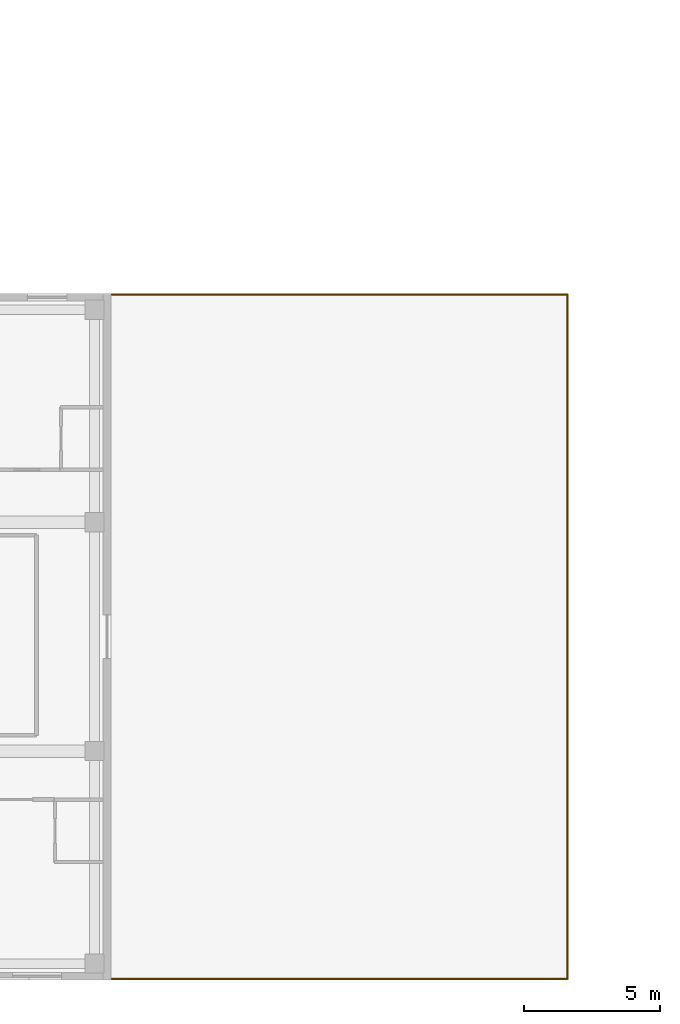
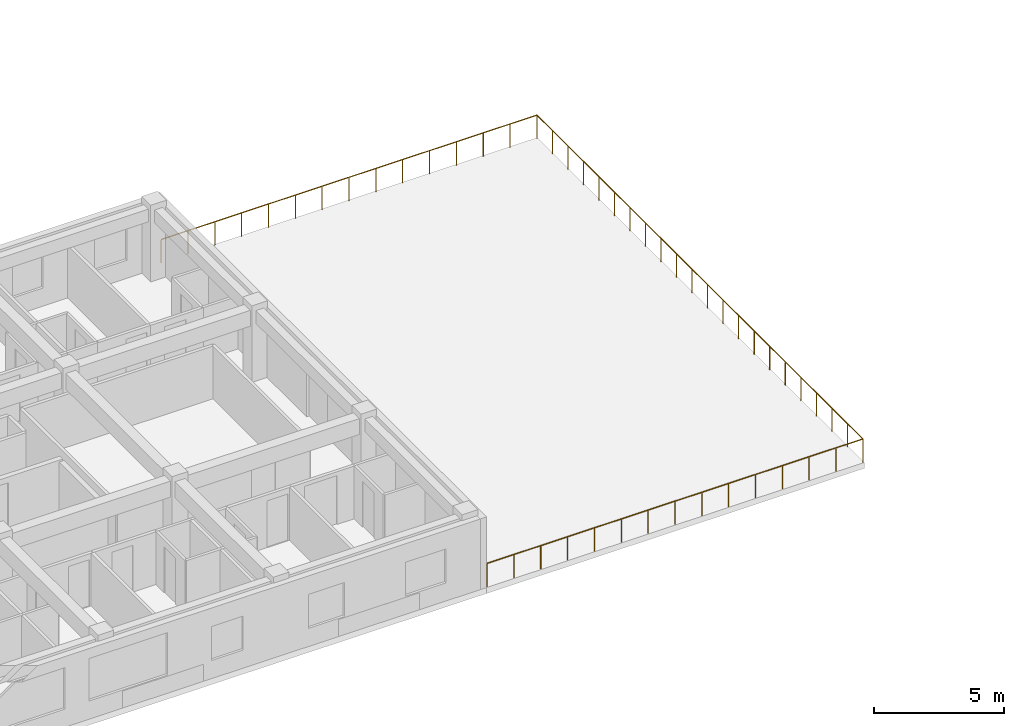
# One storey, part 13 of 13: 3 railings.
"""IFC4 building model written with IfcOpenShell, lengths in metres."""

from ifc_helpers import new_model, si_unit, direction, frame, origin, origin_2d, place, context, subcontext, project, spatial, circle, extrude, material, type_object, element, save


model = new_model("IFC4")

# Units and contexts
model_context = context("Model", 3, precision=1e-05, world=origin(), true_north=direction((0.0, 1.0)))
body_context = subcontext(model_context, "Body", "Model", "MODEL_VIEW")
ifc_project = project(units=[si_unit("LENGTHUNIT", "METRE"), si_unit("AREAUNIT", "SQUARE_METRE"), si_unit("VOLUMEUNIT", "CUBIC_METRE"), si_unit("PLANEANGLEUNIT", "RADIAN"), si_unit("MASSUNIT", "GRAM", prefix="KILO")], contexts=[model_context])

# Site, building, storey
site_placement = place(None, origin())
site = spatial("IfcSite", under=ifc_project, at=site_placement, CompositionType="ELEMENT")
building_placement = place(site_placement, origin())
building = spatial("IfcBuilding", under=site, at=building_placement, Name="Zayran Congress Hotel", CompositionType="ELEMENT")
storey_placement = place(building_placement, frame((0.0, 0.0, 22.800048828125)))
storey = spatial("IfcBuildingStorey", under=building, at=storey_placement, Name="L05", CompositionType="ELEMENT", Elevation=22.800048828125)

# Railings
ifc_material = material(Name="Warm bronze anodised aluminium balustrade", Category="aluminium")
railing_type = type_object("IfcRailingType", Name="TP-GRD-EXT", PredefinedType="GUARDRAIL", material=ifc_material)
railing_1_placement = place(storey_placement, frame((75.639892578125, 8.840087890625, 0.0)))
element("IfcRailing", 1, at=railing_1_placement, inside=storey, type_object=railing_type, Name="V5 L05 Terrace Perimeter Guard S", PredefinedType="GUARDRAIL", context=body_context, shape_type="SweptSolid", body=[
    extrude(circle(Radius=0.02392578125, at=origin_2d()), frame((0.0, 0.0, 1.09619140625), z_axis=(1.0, 0.0, 0.0), x_axis=(0.0, 1.0, 0.0)), (0.0, 0.0, 1.0), 16.72021484375),
    extrude(circle(Radius=0.02099609375, at=origin_2d()), origin(), (0.0, 0.0, 1.0), 1.072021484375),
    extrude(circle(Radius=0.02099609375, at=origin_2d()), frame((1.1943359375, 0.0, 0.0)), (0.0, 0.0, 1.0), 1.072021484375),
    extrude(circle(Radius=0.02099609375, at=origin_2d()), frame((2.388671875, 0.0, 0.0)), (0.0, 0.0, 1.0), 1.072021484375),
    extrude(circle(Radius=0.02099609375, at=origin_2d()), frame((3.5830078125, 0.0, 0.0)), (0.0, 0.0, 1.0), 1.072021484375),
    extrude(circle(Radius=0.02099609375, at=origin_2d()), frame((4.777099609375, 0.0, 0.0)), (0.0, 0.0, 1.0), 1.072021484375),
    extrude(circle(Radius=0.02099609375, at=origin_2d()), frame((5.971435546875, 0.0, 0.0)), (0.0, 0.0, 1.0), 1.072021484375),
    extrude(circle(Radius=0.02099609375, at=origin_2d()), frame((7.165771484375, 0.0, 0.0)), (0.0, 0.0, 1.0), 1.072021484375),
    extrude(circle(Radius=0.02099609375, at=origin_2d()), frame((8.360107421875, 0.0, 0.0)), (0.0, 0.0, 1.0), 1.072021484375),
    extrude(circle(Radius=0.02099609375, at=origin_2d()), frame((9.554443359375, 0.0, 0.0)), (0.0, 0.0, 1.0), 1.072021484375),
    extrude(circle(Radius=0.02099609375, at=origin_2d()), frame((10.748779296875, 0.0, 0.0)), (0.0, 0.0, 1.0), 1.072021484375),
    extrude(circle(Radius=0.02099609375, at=origin_2d()), frame((11.943115234375, 0.0, 0.0)), (0.0, 0.0, 1.0), 1.072021484375),
    extrude(circle(Radius=0.02099609375, at=origin_2d()), frame((13.13720703125, 0.0, 0.0)), (0.0, 0.0, 1.0), 1.072021484375),
    extrude(circle(Radius=0.02099609375, at=origin_2d()), frame((14.33154296875, 0.0, 0.0)), (0.0, 0.0, 1.0), 1.072021484375),
    extrude(circle(Radius=0.02099609375, at=origin_2d()), frame((15.52587890625, 0.0, 0.0)), (0.0, 0.0, 1.0), 1.072021484375),
    extrude(circle(Radius=0.02099609375, at=origin_2d()), frame((16.72021484375, 0.0, 0.0)), (0.0, 0.0, 1.0), 1.072021484375),
])
railing_2_placement = place(storey_placement, frame((92.360107421875, 33.9599609375, 0.0)))
element("IfcRailing", 2, at=railing_2_placement, inside=storey, type_object=railing_type, Name="V5 L05 Terrace Perimeter Guard N", PredefinedType="GUARDRAIL", context=body_context, shape_type="SweptSolid", body=[
    extrude(circle(Radius=0.02392578125, at=origin_2d()), frame((0.0, 0.0, 1.09619140625), z_axis=(-1.0, 0.0, 0.0), x_axis=(0.0, -1.0, 0.0)), (0.0, 0.0, 1.0), 16.72021484375),
    extrude(circle(Radius=0.02099609375, at=origin_2d()), origin(), (0.0, 0.0, 1.0), 1.072021484375),
    extrude(circle(Radius=0.02099609375, at=origin_2d()), frame((-1.1943359375, 0.0, 0.0)), (0.0, 0.0, 1.0), 1.072021484375),
    extrude(circle(Radius=0.02099609375, at=origin_2d()), frame((-2.388671875, 0.0, 0.0)), (0.0, 0.0, 1.0), 1.072021484375),
    extrude(circle(Radius=0.02099609375, at=origin_2d()), frame((-3.5830078125, 0.0, 0.0)), (0.0, 0.0, 1.0), 1.072021484375),
    extrude(circle(Radius=0.02099609375, at=origin_2d()), frame((-4.777099609375, 0.0, 0.0)), (0.0, 0.0, 1.0), 1.072021484375),
    extrude(circle(Radius=0.02099609375, at=origin_2d()), frame((-5.971435546875, 0.0, 0.0)), (0.0, 0.0, 1.0), 1.072021484375),
    extrude(circle(Radius=0.02099609375, at=origin_2d()), frame((-7.165771484375, 0.0, 0.0)), (0.0, 0.0, 1.0), 1.072021484375),
    extrude(circle(Radius=0.02099609375, at=origin_2d()), frame((-8.360107421875, 0.0, 0.0)), (0.0, 0.0, 1.0), 1.072021484375),
    extrude(circle(Radius=0.02099609375, at=origin_2d()), frame((-9.554443359375, 0.0, 0.0)), (0.0, 0.0, 1.0), 1.072021484375),
    extrude(circle(Radius=0.02099609375, at=origin_2d()), frame((-10.748779296875, 0.0, 0.0)), (0.0, 0.0, 1.0), 1.072021484375),
    extrude(circle(Radius=0.02099609375, at=origin_2d()), frame((-11.943115234375, 0.0, 0.0)), (0.0, 0.0, 1.0), 1.072021484375),
    extrude(circle(Radius=0.02099609375, at=origin_2d()), frame((-13.13720703125, 0.0, 0.0)), (0.0, 0.0, 1.0), 1.072021484375),
    extrude(circle(Radius=0.02099609375, at=origin_2d()), frame((-14.33154296875, 0.0, 0.0)), (0.0, 0.0, 1.0), 1.072021484375),
    extrude(circle(Radius=0.02099609375, at=origin_2d()), frame((-15.52587890625, 0.0, 0.0)), (0.0, 0.0, 1.0), 1.072021484375),
    extrude(circle(Radius=0.02099609375, at=origin_2d()), frame((-16.72021484375, 0.0, 0.0)), (0.0, 0.0, 1.0), 1.072021484375),
])
railing_3_placement = place(storey_placement, frame((92.360107421875, 8.840087890625, 0.0)))
element("IfcRailing", 3, at=railing_3_placement, inside=storey, type_object=railing_type, Name="V5 L05 Terrace Perimeter Guard E", PredefinedType="GUARDRAIL", context=body_context, shape_type="SweptSolid", body=[
    extrude(circle(Radius=0.02392578125, at=origin_2d()), frame((0.0, 0.0, 1.09619140625), z_axis=(0.0, 1.0, 0.0), x_axis=(-1.0, 0.0, 0.0)), (0.0, 0.0, 1.0), 25.119873046875),
    extrude(circle(Radius=0.02099609375, at=origin_2d()), origin(), (0.0, 0.0, 1.0), 1.072021484375),
    extrude(circle(Radius=0.02099609375, at=origin_2d()), frame((0.0, 1.1962890625, 0.0)), (0.0, 0.0, 1.0), 1.072021484375),
    extrude(circle(Radius=0.02099609375, at=origin_2d()), frame((0.0, 2.392333984375, 0.0)), (0.0, 0.0, 1.0), 1.072021484375),
    extrude(circle(Radius=0.02099609375, at=origin_2d()), frame((0.0, 3.588623046875, 0.0)), (0.0, 0.0, 1.0), 1.072021484375),
    extrude(circle(Radius=0.02099609375, at=origin_2d()), frame((0.0, 4.78466796875, 0.0)), (0.0, 0.0, 1.0), 1.072021484375),
    extrude(circle(Radius=0.02099609375, at=origin_2d()), frame((0.0, 5.98095703125, 0.0)), (0.0, 0.0, 1.0), 1.072021484375),
    extrude(circle(Radius=0.02099609375, at=origin_2d()), frame((0.0, 7.177001953125, 0.0)), (0.0, 0.0, 1.0), 1.072021484375),
    extrude(circle(Radius=0.02099609375, at=origin_2d()), frame((0.0, 8.373291015625, 0.0)), (0.0, 0.0, 1.0), 1.072021484375),
    extrude(circle(Radius=0.02099609375, at=origin_2d()), frame((0.0, 9.569580078125, 0.0)), (0.0, 0.0, 1.0), 1.072021484375),
    extrude(circle(Radius=0.02099609375, at=origin_2d()), frame((0.0, 10.765625, 0.0)), (0.0, 0.0, 1.0), 1.072021484375),
    extrude(circle(Radius=0.02099609375, at=origin_2d()), frame((0.0, 11.9619140625, 0.0)), (0.0, 0.0, 1.0), 1.072021484375),
    extrude(circle(Radius=0.02099609375, at=origin_2d()), frame((0.0, 13.157958984375, 0.0)), (0.0, 0.0, 1.0), 1.072021484375),
    extrude(circle(Radius=0.02099609375, at=origin_2d()), frame((0.0, 14.354248046875, 0.0)), (0.0, 0.0, 1.0), 1.072021484375),
    extrude(circle(Radius=0.02099609375, at=origin_2d()), frame((0.0, 15.55029296875, 0.0)), (0.0, 0.0, 1.0), 1.072021484375),
    extrude(circle(Radius=0.02099609375, at=origin_2d()), frame((0.0, 16.74658203125, 0.0)), (0.0, 0.0, 1.0), 1.072021484375),
    extrude(circle(Radius=0.02099609375, at=origin_2d()), frame((0.0, 17.94287109375, 0.0)), (0.0, 0.0, 1.0), 1.072021484375),
    extrude(circle(Radius=0.02099609375, at=origin_2d()), frame((0.0, 19.138916015625, 0.0)), (0.0, 0.0, 1.0), 1.072021484375),
    extrude(circle(Radius=0.02099609375, at=origin_2d()), frame((0.0, 20.335205078125, 0.0)), (0.0, 0.0, 1.0), 1.072021484375),
    extrude(circle(Radius=0.02099609375, at=origin_2d()), frame((0.0, 21.53125, 0.0)), (0.0, 0.0, 1.0), 1.072021484375),
    extrude(circle(Radius=0.02099609375, at=origin_2d()), frame((0.0, 22.7275390625, 0.0)), (0.0, 0.0, 1.0), 1.072021484375),
    extrude(circle(Radius=0.02099609375, at=origin_2d()), frame((0.0, 23.923583984375, 0.0)), (0.0, 0.0, 1.0), 1.072021484375),
    extrude(circle(Radius=0.02099609375, at=origin_2d()), frame((0.0, 25.119873046875, 0.0)), (0.0, 0.0, 1.0), 1.072021484375),
])

save(model, "model.ifc")
